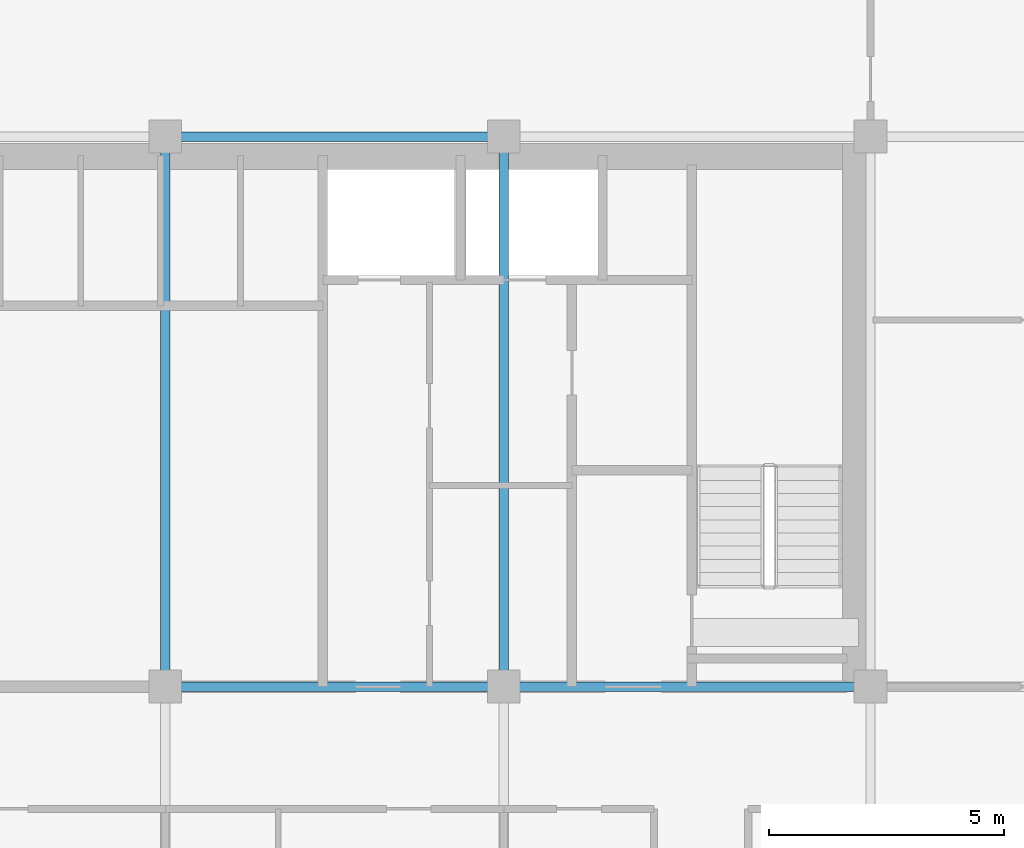
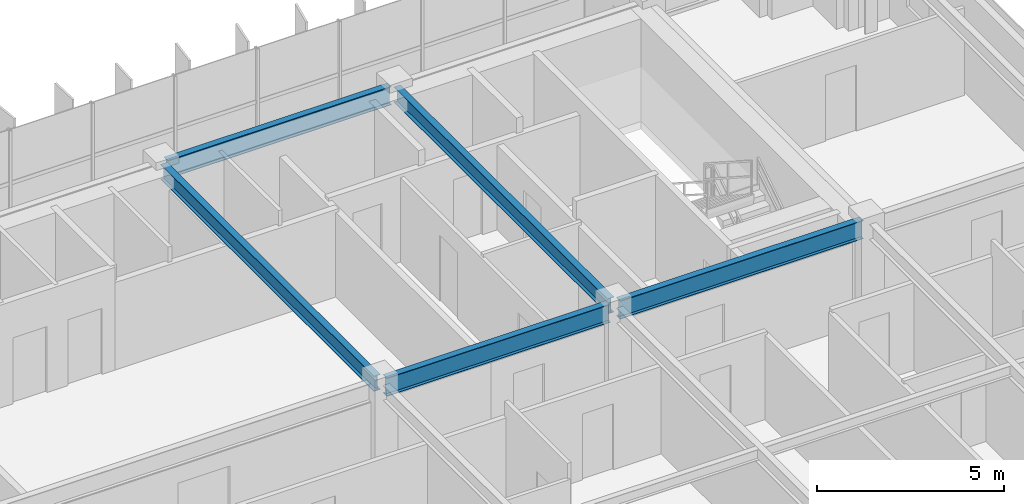
# One storey, part 8 of 20: 5 beams.
"""IFC4 building model written with IfcOpenShell, lengths in metres."""

from ifc_helpers import new_model, si_unit, direction, frame, origin, origin_2d, place, context, subcontext, project, spatial, i_section, extrude, source, transform, mapped, material, material_profile, profile_set, type_object, element, save


model = new_model("IFC4")

# Units and contexts
model_context = context("Model", 3, precision=1e-05, world=origin(), true_north=direction((0.0, 1.0)))
body_context = subcontext(model_context, "Body", "Model", "MODEL_VIEW")
ifc_project = project(units=[si_unit("LENGTHUNIT", "METRE"), si_unit("AREAUNIT", "SQUARE_METRE"), si_unit("VOLUMEUNIT", "CUBIC_METRE"), si_unit("PLANEANGLEUNIT", "RADIAN"), si_unit("MASSUNIT", "GRAM", prefix="KILO")], contexts=[model_context])

# Site, building, storey
site_placement = place(None, origin())
site = spatial("IfcSite", under=ifc_project, at=site_placement, CompositionType="ELEMENT")
building_placement = place(site_placement, origin())
building = spatial("IfcBuilding", under=site, at=building_placement, Name="Trelvane Seafront Commons", CompositionType="ELEMENT")
storey_placement = place(building_placement, frame((0.0, 0.0, 164.5)))
storey = spatial("IfcBuildingStorey", under=building, at=storey_placement, Name="L43", CompositionType="ELEMENT", Elevation=164.5)

# Beams
ifc_material = material(Name="Steel SM355 (S355)", Category="steel")
ifc_material_profile_1 = material_profile(ifc_material, i_section(OverallWidth=0.199951171875, OverallDepth=0.5, WebThickness=0.010009765625, FlangeThickness=0.01611328125, at=origin_2d()), Name="H-500x200x10x16")
ifc_profile_set_1 = profile_set([ifc_material_profile_1], Name="Steel SM355 (S355)")
beam_type_1 = type_object("IfcBeamType", Name="STR-BM-H500", PredefinedType="BEAM", material=ifc_profile_set_1)
shared_shape_1 = source(origin(), body_context, "Body", "SweptSolid", [
    extrude(i_section(OverallWidth=0.199951171875, OverallDepth=0.5, WebThickness=0.010009765625, FlangeThickness=0.01611328125, at=origin_2d()), origin(), (0.0, 0.0, 1.0), 11.39990234375),
])
for number, where, z_axis, x_axis, name in (
    (1, (43.800048828125, 33.550048828125, 3.10009765625), (0.0, 1.0, 0.0), (-1.0, 0.0, 0.0), "L43 Primary Girder G-43"),
    (2, (51.0, 33.550048828125, 3.10009765625), (0.0, 1.0, 0.0), (-1.0, 0.0, 0.0), "L43 Primary Girder G-46"),
):
    element("IfcBeam", number, at=place(storey_placement, frame(where, z_axis=z_axis, x_axis=x_axis)), inside=storey, type_object=beam_type_1, Name=name, PredefinedType="BEAM", context=body_context, shape_type="MappedRepresentation", body=[
        mapped(shared_shape_1, transform((0.0, 0.0, 0.0), x_axis=(1.0, 0.0, 0.0), y_axis=(0.0, 1.0, 0.0), z_axis=(0.0, 0.0, 1.0), scale=1.0)),
    ])
ifc_material_profile_2 = material_profile(ifc_material, i_section(OverallWidth=0.199951171875, OverallDepth=0.60009765625, WebThickness=0.010986328125, FlangeThickness=0.01708984375, at=origin_2d()), Name="H-600x200x11x17")
ifc_profile_set_2 = profile_set([ifc_material_profile_2], Name="Steel SM355 (S355)")
beam_type_2 = type_object("IfcBeamType", Name="STR-SPD-H600", PredefinedType="SPANDREL", material=ifc_profile_set_2)
shared_shape_2 = source(origin(), body_context, "Body", "SweptSolid", [
    extrude(i_section(OverallWidth=0.199951171875, OverallDepth=0.60009765625, WebThickness=0.010986328125, FlangeThickness=0.01708984375, at=origin_2d()), origin(), (0.0, 0.0, 1.0), 7.5),
])
beam_placement = place(storey_placement, frame((51.14990234375, 33.39990234375, 3.050048828125), z_axis=(1.0, 0.0, 0.0), x_axis=(0.0, 1.0, 0.0)))
element("IfcBeam", 3, at=beam_placement, inside=storey, type_object=beam_type_2, Name="L43 Primary Girder G-20", PredefinedType="SPANDREL", context=body_context, shape_type="MappedRepresentation", body=[
    mapped(shared_shape_2, transform((0.0, 0.0, 0.0), x_axis=(1.0, 0.0, 0.0), y_axis=(0.0, 1.0, 0.0), z_axis=(0.0, 0.0, 1.0), scale=1.0)),
])
shared_shape_3 = source(origin(), body_context, "Body", "SweptSolid", [
    extrude(i_section(OverallWidth=0.199951171875, OverallDepth=0.60009765625, WebThickness=0.010986328125, FlangeThickness=0.01708984375, at=origin_2d()), origin(), (0.0, 0.0, 1.0), 6.900146484375),
])
for number, where, z_axis, x_axis, name in (
    (4, (43.949951171875, 33.39990234375, 3.050048828125), (1.0, 0.0, 0.0), (0.0, 1.0, 0.0), "L43 Primary Girder G-19"),
    (5, (43.949951171875, 45.10009765625, 3.050048828125), (1.0, 0.0, 0.0), (0.0, 1.0, 0.0), "L43 Primary Girder G-26"),
):
    element("IfcBeam", number, at=place(storey_placement, frame(where, z_axis=z_axis, x_axis=x_axis)), inside=storey, type_object=beam_type_2, Name=name, PredefinedType="SPANDREL", context=body_context, shape_type="MappedRepresentation", body=[
        mapped(shared_shape_3, transform((0.0, 0.0, 0.0), x_axis=(1.0, 0.0, 0.0), y_axis=(0.0, 1.0, 0.0), z_axis=(0.0, 0.0, 1.0), scale=1.0)),
    ])

save(model, "model.ifc")
